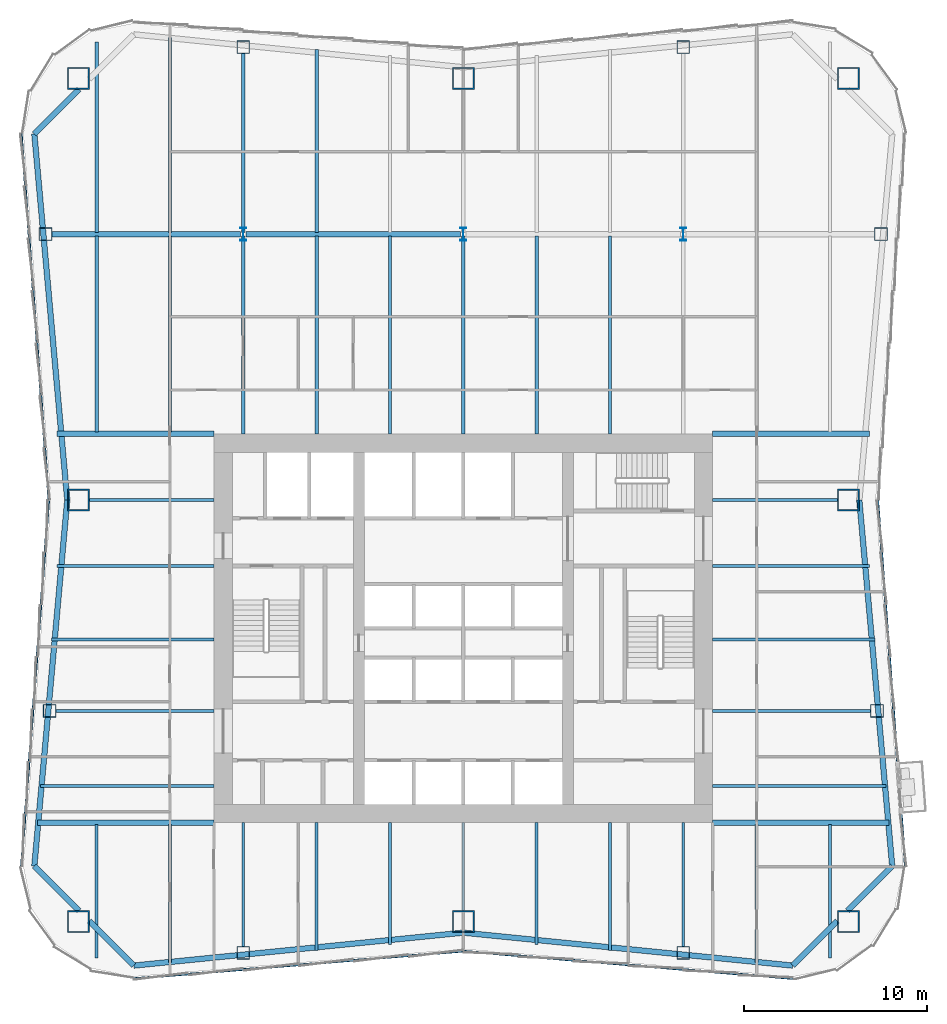
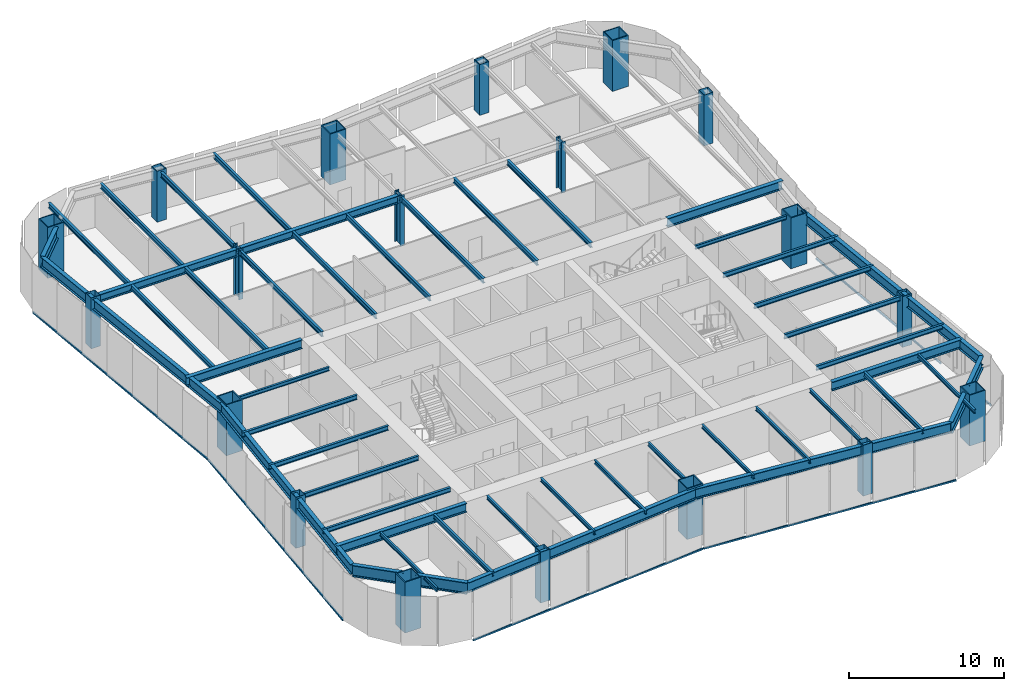
# One storey, part 1 of 9: 49 beams, 19 columns, 6 members, 3 elements without a shape of their own.
"""IFC4 building model written with IfcOpenShell, lengths in metres."""

from ifc_helpers import new_model, si_unit, direction, frame, origin, origin_2d, place, context, subcontext, project, spatial, rectangle, hollow_rectangle, i_section, extrude, material, material_profile, profile_set, type_object, element, aggregate, save


model = new_model("IFC4")

# Units and contexts
model_context = context("Model", 3, precision=1e-05, world=origin(), true_north=direction((0.0, 1.0)))
body_context = subcontext(model_context, "Body", "Model", "MODEL_VIEW")
ifc_project = project(units=[si_unit("LENGTHUNIT", "METRE"), si_unit("AREAUNIT", "SQUARE_METRE"), si_unit("VOLUMEUNIT", "CUBIC_METRE"), si_unit("PLANEANGLEUNIT", "RADIAN"), si_unit("MASSUNIT", "GRAM", prefix="KILO")], contexts=[model_context])

# Site, building, storey
site_placement = place(None, origin())
site = spatial("IfcSite", under=ifc_project, at=site_placement, CompositionType="ELEMENT")
building_placement = place(site_placement, origin())
building = spatial("IfcBuilding", under=site, at=building_placement, Name="Verdant Reach Tower", CompositionType="ELEMENT")
storey_placement = place(building_placement, frame((0.0, 0.0, 130.0)))
storey = spatial("IfcBuildingStorey", under=building, at=storey_placement, Name="L29", CompositionType="ELEMENT", Elevation=130.0)

# Columns
ifc_material_1 = material(Name="Steel S460", Category="steel")
ifc_material_profile_1 = material_profile(ifc_material_1, i_section(OverallWidth=0.30810546875, OverallDepth=0.716064453125, WebThickness=0.02099609375, FlangeThickness=0.0400390625, FilletRadius=0.027099609375, at=origin_2d()), Name="HEM 700")
ifc_profile_set_1 = profile_set([ifc_material_profile_1], Name="Steel S460")
column_type_1 = type_object("IfcColumnType", Name="ST-COL-HEM700", PredefinedType="COLUMN", material=ifc_profile_set_1)
for number, where, z_axis, x_axis, name in (
    (1, (-12.0, 49.5, 0.0), (0.0, 0.0, 1.0), (1.0, 0.0, 0.0), "Interior column 1, L29"),
    (2, (0.0, 49.5, 0.0), (0.0, 0.0, 1.0), (1.0, 0.0, 0.0), "Interior column 2, L29"),
    (3, (12.0, 49.5, 0.0), (0.0, 0.0, 1.0), (1.0, 0.0, 0.0), "Interior column 3, L29"),
):
    element("IfcColumn", number, at=place(storey_placement, frame(where, z_axis=z_axis, x_axis=x_axis)), inside=storey, type_object=column_type_1, Name=name, PredefinedType="COLUMN", context=body_context, shape_type="SweptSolid", body=[
        extrude(i_section(OverallWidth=0.30810546875, OverallDepth=0.716064453125, WebThickness=0.02099609375, FlangeThickness=0.0400390625, FilletRadius=0.027099609375, at=origin_2d()), origin(), (0.0, 0.0, 1.0), 4.0),
    ])
ifc_material_profile_2 = material_profile(ifc_material_1, hollow_rectangle(XDim=1.199951171875, YDim=1.199951171875, WallThickness=0.070068359375, at=origin_2d()), Name="WB 1200x1200x70")
ifc_profile_set_2 = profile_set([ifc_material_profile_2], Name="Steel S460")
column_type_2 = type_object("IfcColumnType", Name="ST-COL-WB1200x1200x70", PredefinedType="COLUMN", material=ifc_profile_set_2)
for number, where, z_axis, x_axis, name in (
    (4, (-21.0, 58.0, 0.0), (0.0, 0.0, 1.0), (1.0, 0.0, 0.0), "Mega column north-west, L29"),
    (5, (0.0, 58.0, 0.0), (0.0, 0.0, 1.0), (1.0, 0.0, 0.0), "Mega column north, L29"),
    (6, (21.0, 58.0, 0.0), (0.0, 0.0, 1.0), (1.0, 0.0, 0.0), "Mega column north-east, L29"),
    (7, (21.0, 35.0, 0.0), (0.0, 0.0, 1.0), (1.0, 0.0, 0.0), "Mega column east, L29"),
    (8, (21.0, 12.0, 0.0), (0.0, 0.0, 1.0), (1.0, 0.0, 0.0), "Mega column south-east, L29"),
    (9, (0.0, 12.0, 0.0), (0.0, 0.0, 1.0), (1.0, 0.0, 0.0), "Mega column south, L29"),
    (10, (-21.0, 12.0, 0.0), (0.0, 0.0, 1.0), (1.0, 0.0, 0.0), "Mega column south-west, L29"),
    (11, (-21.0, 35.0, 0.0), (0.0, 0.0, 1.0), (1.0, 0.0, 0.0), "Mega column west, L29"),
):
    element("IfcColumn", number, at=place(storey_placement, frame(where, z_axis=z_axis, x_axis=x_axis)), inside=storey, type_object=column_type_2, Name=name, PredefinedType="COLUMN", context=body_context, shape_type="SweptSolid", body=[
        extrude(hollow_rectangle(XDim=1.199951171875, YDim=1.199951171875, WallThickness=0.070068359375, at=origin_2d()), origin(), (0.0, 0.0, 1.0), 4.0),
    ])
ifc_material_profile_3 = material_profile(ifc_material_1, hollow_rectangle(XDim=0.699951171875, YDim=0.699951171875, WallThickness=0.030029296875, at=origin_2d()), Name="WB 700x700x30")
ifc_profile_set_3 = profile_set([ifc_material_profile_3], Name="Steel S460")
column_type_3 = type_object("IfcColumnType", Name="ST-COL-WB700x700x30", PredefinedType="COLUMN", material=ifc_profile_set_3)
for number, where, z_axis, x_axis, name in (
    (12, (-12.0, 59.699951171875, 0.0), (0.0, 0.0, 1.0), (1.0, 0.0, 0.0), "Perimeter column north 1, L29"),
    (13, (12.0, 59.699951171875, 0.0), (0.0, 0.0, 1.0), (1.0, 0.0, 0.0), "Perimeter column north 2, L29"),
    (14, (-12.0, 10.300048828125, 0.0), (0.0, 0.0, 1.0), (1.0, 0.0, 0.0), "Perimeter column south 1, L29"),
    (15, (12.0, 10.300048828125, 0.0), (0.0, 0.0, 1.0), (1.0, 0.0, 0.0), "Perimeter column south 2, L29"),
    (16, (22.5625, 23.5, 0.0), (0.0, 0.0, 1.0), (1.0, 0.0, 0.0), "Perimeter column east 1, L29"),
    (17, (22.78759765625, 49.5, 0.0), (0.0, 0.0, 1.0), (1.0, 0.0, 0.0), "Perimeter column east 2, L29"),
    (18, (-22.5625, 23.5, 0.0), (0.0, 0.0, 1.0), (1.0, 0.0, 0.0), "Perimeter column west 1, L29"),
    (19, (-22.78759765625, 49.5, 0.0), (0.0, 0.0, 1.0), (1.0, 0.0, 0.0), "Perimeter column west 2, L29"),
):
    element("IfcColumn", number, at=place(storey_placement, frame(where, z_axis=z_axis, x_axis=x_axis)), inside=storey, type_object=column_type_3, Name=name, PredefinedType="COLUMN", context=body_context, shape_type="SweptSolid", body=[
        extrude(hollow_rectangle(XDim=0.699951171875, YDim=0.699951171875, WallThickness=0.030029296875, at=origin_2d()), origin(), (0.0, 0.0, 1.0), 4.0),
    ])

# Curtain wall, members
ifc_material_2 = material(Name="Anodised aluminium", Category="aluminium")
curtain_wall_type = type_object("IfcCurtainWallType", Name="EN-CW SYSTEM Z2", PredefinedType="NOTDEFINED", material=ifc_material_2)
curtain_wall_1_placement = place(storey_placement, origin())
curtain_wall_1 = element("IfcCurtainWall", 20, at=curtain_wall_1_placement, inside=storey, type_object=curtain_wall_type, Name="Curtain wall east, L29", PredefinedType="NOTDEFINED")
ifc_material_profile_4 = material_profile(ifc_material_2, rectangle(XDim=0.10009765625, YDim=0.1240234375, at=origin_2d()), Name="Transom 124x100")
ifc_profile_set_4 = profile_set([ifc_material_profile_4], Name="Anodised aluminium")
member_type = type_object("IfcMemberType", Name="EN-TRANSOM Z2", PredefinedType="USERDEFINED", material=ifc_profile_set_4)
member_1_placement = place(storey_placement, frame((24.103515625, 15.025390625, -0.2880859375), z_axis=(-0.074481699415, 0.997222380641, 0.0), x_axis=(-0.997222380641, -0.074481699415, 0.0)))
member_1 = element("IfcMember", 21, at=member_1_placement, type_object=member_type, Name="Transom east face part 1 1.1, L29", ObjectType="TRANSOM", PredefinedType="USERDEFINED", context=body_context, shape_type="SweptSolid", body=[
    extrude(rectangle(XDim=0.10009765625, YDim=0.1240234375, at=origin_2d()), origin(), (0.0, 0.0, 1.0), 2.815673828125),
])
member_2_placement = place(storey_placement, frame((23.6748046875, 20.754150390625, -0.2880859375), z_axis=(-0.074815496642, 0.997197393429, 0.0), x_axis=(-0.997197393429, -0.074815496642, 0.0)))
member_2 = element("IfcMember", 22, at=member_2_placement, type_object=member_type, Name="Transom east face part 1 2.1, L29", ObjectType="TRANSOM", PredefinedType="USERDEFINED", context=body_context, shape_type="SweptSolid", body=[
    extrude(rectangle(XDim=0.10009765625, YDim=0.1240234375, at=origin_2d()), origin(), (0.0, 0.0, 1.0), 14.25390625),
])
aggregate(curtain_wall_1, [member_1, member_2])

curtain_wall_2_placement = place(storey_placement, origin())
curtain_wall_2 = element("IfcCurtainWall", 23, at=curtain_wall_2_placement, inside=storey, type_object=curtain_wall_type, Name="Curtain wall west, L29", PredefinedType="NOTDEFINED")
member_3_placement = place(storey_placement, frame((-24.103515625, 54.974609375, -0.2880859375), z_axis=(0.07476111665, -0.997201471839, 0.0), x_axis=(0.997201471839, 0.07476111665, 0.0)))
member_3 = element("IfcMember", 24, at=member_3_placement, type_object=member_type, Name="Transom west face part 1 1.1, L29", ObjectType="TRANSOM", PredefinedType="USERDEFINED", context=body_context, shape_type="SweptSolid", body=[
    extrude(rectangle(XDim=0.10009765625, YDim=0.1240234375, at=origin_2d()), origin(), (0.0, 0.0, 1.0), 19.99853515625),
])
member_4_placement = place(storey_placement, frame((-22.6083984375, 34.968017578125, -0.2880859375), z_axis=(-0.07476111665, -0.997201471839, 0.0), x_axis=(0.997201471839, -0.07476111665, 0.0)))
member_4 = element("IfcMember", 25, at=member_4_placement, type_object=member_type, Name="Transom west face part 2 1.1, L29", ObjectType="TRANSOM", PredefinedType="USERDEFINED", context=body_context, shape_type="SweptSolid", body=[
    extrude(rectangle(XDim=0.10009765625, YDim=0.1240234375, at=origin_2d()), origin(), (0.0, 0.0, 1.0), 19.99853515625),
])
aggregate(curtain_wall_2, [member_3, member_4])

curtain_wall_3_placement = place(storey_placement, origin())
curtain_wall_3 = element("IfcCurtainWall", 26, at=curtain_wall_3_placement, inside=storey, type_object=curtain_wall_type, Name="Curtain wall south, L29", PredefinedType="NOTDEFINED")
member_5_placement = place(storey_placement, frame((-17.97412109375, 8.896728515625, -0.2880859375), z_axis=(0.996548282776, 0.083015179915, 0.0), x_axis=(-0.083015179915, 0.996548282776, 0.0)))
member_5 = element("IfcMember", 27, at=member_5_placement, type_object=member_type, Name="Transom south face part 1 1.1, L29", ObjectType="TRANSOM", PredefinedType="USERDEFINED", context=body_context, shape_type="SweptSolid", body=[
    extrude(rectangle(XDim=0.10009765625, YDim=0.1240234375, at=origin_2d()), origin(), (0.0, 0.0, 1.0), 18.00439453125),
])
member_6_placement = place(storey_placement, frame((0.031982421875, 10.391357421875, -0.2880859375), z_axis=(0.996548282776, -0.083015179915, 0.0), x_axis=(0.083015179915, 0.996548282776, 0.0)))
member_6 = element("IfcMember", 28, at=member_6_placement, type_object=member_type, Name="Transom south face part 2 1.1, L29", ObjectType="TRANSOM", PredefinedType="USERDEFINED", context=body_context, shape_type="SweptSolid", body=[
    extrude(rectangle(XDim=0.10009765625, YDim=0.1240234375, at=origin_2d()), origin(), (0.0, 0.0, 1.0), 18.00439453125),
])
aggregate(curtain_wall_3, [member_5, member_6])

# Beams
ifc_material_3 = material(Name="Steel S355", Category="steel")
ifc_material_profile_5 = material_profile(ifc_material_3, i_section(OverallWidth=0.300048828125, OverallDepth=0.60009765625, WebThickness=0.015380859375, FlangeThickness=0.030029296875, FilletRadius=0.027099609375, at=origin_2d()), Name="HEB 600")
ifc_profile_set_5 = profile_set([ifc_material_profile_5], Name="Steel S355")
beam_type_1 = type_object("IfcBeamType", Name="ST-BEAM-HEB600", PredefinedType="BEAM", material=ifc_profile_set_5)
beam_1_placement = place(storey_placement, frame((-22.4375, 49.5, 3.570068359375), z_axis=(1.0, 0.0, 0.0), x_axis=(0.0, 1.0, 0.0)))
element("IfcBeam", 29, at=beam_1_placement, inside=storey, type_object=beam_type_1, Name="Row girder, L29", PredefinedType="BEAM", context=body_context, shape_type="SweptSolid", body=[
    extrude(i_section(OverallWidth=0.300048828125, OverallDepth=0.60009765625, WebThickness=0.015380859375, FlangeThickness=0.030029296875, FilletRadius=0.027099609375, at=origin_2d()), origin(), (0.0, 0.0, 1.0), 10.283447265625),
])
beam_2_placement = place(storey_placement, frame((-11.845947265625, 49.5, 3.570068359375), z_axis=(1.0, 0.0, 0.0), x_axis=(0.0, 1.0, 0.0)))
element("IfcBeam", 30, at=beam_2_placement, inside=storey, type_object=beam_type_1, Name="Row girder, L29", PredefinedType="BEAM", context=body_context, shape_type="SweptSolid", body=[
    extrude(i_section(OverallWidth=0.300048828125, OverallDepth=0.60009765625, WebThickness=0.015380859375, FlangeThickness=0.030029296875, FilletRadius=0.027099609375, at=origin_2d()), origin(), (0.0, 0.0, 1.0), 11.69189453125),
])
ifc_material_profile_6 = material_profile(ifc_material_3, i_section(OverallWidth=0.300048828125, OverallDepth=0.699951171875, WebThickness=0.01708984375, FlangeThickness=0.031982421875, FilletRadius=0.027099609375, at=origin_2d()), Name="HEB 700")
ifc_profile_set_6 = profile_set([ifc_material_profile_6], Name="Steel S355")
beam_type_2 = type_object("IfcBeamType", Name="ST-BEAM-HEB700", PredefinedType="BEAM", material=ifc_profile_set_6)
for number, where, z_axis, x_axis, name in (
    (31, (13.60009765625, 38.60009765625, 3.52001953125), (1.0, 0.0, 0.0), (0.0, 1.0, 0.0), "Trimmer beam, L29"),
    (32, (-13.60009765625, 38.60009765625, 3.52001953125), (-1.0, 0.0, 0.0), (0.0, -1.0, 0.0), "Trimmer beam, L29"),
):
    element("IfcBeam", number, at=place(storey_placement, frame(where, z_axis=z_axis, x_axis=x_axis)), inside=storey, type_object=beam_type_2, Name=name, PredefinedType="BEAM", context=body_context, shape_type="SweptSolid", body=[
        extrude(i_section(OverallWidth=0.300048828125, OverallDepth=0.699951171875, WebThickness=0.01708984375, FlangeThickness=0.031982421875, FilletRadius=0.027099609375, at=origin_2d()), origin(), (0.0, 0.0, 1.0), 8.568115234375),
    ])
for number, where, z_axis, x_axis, name in (
    (33, (13.60009765625, 17.39990234375, 3.52001953125), (1.0, 0.0, 0.0), (0.0, 1.0, 0.0), "Trimmer beam, L29"),
    (34, (-13.60009765625, 17.39990234375, 3.52001953125), (-1.0, 0.0, 0.0), (0.0, -1.0, 0.0), "Trimmer beam, L29"),
):
    element("IfcBeam", number, at=place(storey_placement, frame(where, z_axis=z_axis, x_axis=x_axis)), inside=storey, type_object=beam_type_2, Name=name, PredefinedType="BEAM", context=body_context, shape_type="SweptSolid", body=[
        extrude(i_section(OverallWidth=0.300048828125, OverallDepth=0.699951171875, WebThickness=0.01708984375, FlangeThickness=0.031982421875, FilletRadius=0.027099609375, at=origin_2d()), origin(), (0.0, 0.0, 1.0), 9.6181640625),
    ])
ifc_material_profile_7 = material_profile(ifc_material_3, i_section(OverallWidth=0.14990234375, OverallDepth=0.300048828125, WebThickness=0.007080078125, FlangeThickness=0.0107421875, FilletRadius=0.014892578125, at=origin_2d()), Name="IPE 300")
ifc_profile_set_7 = profile_set([ifc_material_profile_7], Name="Steel S355")
beam_type_3 = type_object("IfcBeamType", Name="ST-JOIST-IPE300", PredefinedType="JOIST", material=ifc_profile_set_7)
beam_3_placement = place(storey_placement, frame((-20.0, 17.300048828125, 3.719970703125), z_axis=(0.0, -1.0, 0.0), x_axis=(1.0, 0.0, 0.0)))
element("IfcBeam", 35, at=beam_3_placement, inside=storey, type_object=beam_type_3, Name="Floor joist, L29", PredefinedType="JOIST", context=body_context, shape_type="SweptSolid", body=[
    extrude(i_section(OverallWidth=0.14990234375, OverallDepth=0.300048828125, WebThickness=0.007080078125, FlangeThickness=0.0107421875, FilletRadius=0.014892578125, at=origin_2d()), origin(), (0.0, 0.0, 1.0), 7.29052734375),
])
beam_4_placement = place(storey_placement, frame((-12.0, 17.39990234375, 3.719970703125), z_axis=(0.0, -1.0, 0.0), x_axis=(1.0, 0.0, 0.0)))
element("IfcBeam", 36, at=beam_4_placement, inside=storey, type_object=beam_type_3, Name="Floor joist, L29", PredefinedType="JOIST", context=body_context, shape_type="SweptSolid", body=[
    extrude(i_section(OverallWidth=0.14990234375, OverallDepth=0.300048828125, WebThickness=0.007080078125, FlangeThickness=0.0107421875, FilletRadius=0.014892578125, at=origin_2d()), origin(), (0.0, 0.0, 1.0), 6.75),
])
beam_5_placement = place(storey_placement, frame((-8.0, 17.39990234375, 3.719970703125), z_axis=(0.0, -1.0, 0.0), x_axis=(1.0, 0.0, 0.0)))
element("IfcBeam", 37, at=beam_5_placement, inside=storey, type_object=beam_type_3, Name="Floor joist, L29", PredefinedType="JOIST", context=body_context, shape_type="SweptSolid", body=[
    extrude(i_section(OverallWidth=0.14990234375, OverallDepth=0.300048828125, WebThickness=0.007080078125, FlangeThickness=0.0107421875, FilletRadius=0.014892578125, at=origin_2d()), origin(), (0.0, 0.0, 1.0), 6.964599609375),
])
beam_6_placement = place(storey_placement, frame((-4.0, 17.39990234375, 3.719970703125), z_axis=(0.0, -1.0, 0.0), x_axis=(1.0, 0.0, 0.0)))
element("IfcBeam", 38, at=beam_6_placement, inside=storey, type_object=beam_type_3, Name="Floor joist, L29", PredefinedType="JOIST", context=body_context, shape_type="SweptSolid", body=[
    extrude(i_section(OverallWidth=0.14990234375, OverallDepth=0.300048828125, WebThickness=0.007080078125, FlangeThickness=0.0107421875, FilletRadius=0.014892578125, at=origin_2d()), origin(), (0.0, 0.0, 1.0), 6.631103515625),
])
beam_7_placement = place(storey_placement, frame((0.0, 17.39990234375, 3.719970703125), z_axis=(0.0, -1.0, 0.0), x_axis=(1.0, 0.0, 0.0)))
element("IfcBeam", 39, at=beam_7_placement, inside=storey, type_object=beam_type_3, Name="Floor joist, L29", PredefinedType="JOIST", context=body_context, shape_type="SweptSolid", body=[
    extrude(i_section(OverallWidth=0.14990234375, OverallDepth=0.300048828125, WebThickness=0.007080078125, FlangeThickness=0.0107421875, FilletRadius=0.014892578125, at=origin_2d()), origin(), (0.0, 0.0, 1.0), 4.7998046875),
])
beam_8_placement = place(storey_placement, frame((4.0, 17.39990234375, 3.719970703125), z_axis=(0.0, -1.0, 0.0), x_axis=(1.0, 0.0, 0.0)))
element("IfcBeam", 40, at=beam_8_placement, inside=storey, type_object=beam_type_3, Name="Floor joist, L29", PredefinedType="JOIST", context=body_context, shape_type="SweptSolid", body=[
    extrude(i_section(OverallWidth=0.14990234375, OverallDepth=0.300048828125, WebThickness=0.007080078125, FlangeThickness=0.0107421875, FilletRadius=0.014892578125, at=origin_2d()), origin(), (0.0, 0.0, 1.0), 6.631103515625),
])
beam_9_placement = place(storey_placement, frame((8.0, 17.39990234375, 3.719970703125), z_axis=(0.0, -1.0, 0.0), x_axis=(1.0, 0.0, 0.0)))
element("IfcBeam", 41, at=beam_9_placement, inside=storey, type_object=beam_type_3, Name="Floor joist, L29", PredefinedType="JOIST", context=body_context, shape_type="SweptSolid", body=[
    extrude(i_section(OverallWidth=0.14990234375, OverallDepth=0.300048828125, WebThickness=0.007080078125, FlangeThickness=0.0107421875, FilletRadius=0.014892578125, at=origin_2d()), origin(), (0.0, 0.0, 1.0), 6.964599609375),
])
beam_10_placement = place(storey_placement, frame((12.0, 17.39990234375, 3.719970703125), z_axis=(0.0, -1.0, 0.0), x_axis=(1.0, 0.0, 0.0)))
element("IfcBeam", 42, at=beam_10_placement, inside=storey, type_object=beam_type_3, Name="Floor joist, L29", PredefinedType="JOIST", context=body_context, shape_type="SweptSolid", body=[
    extrude(i_section(OverallWidth=0.14990234375, OverallDepth=0.300048828125, WebThickness=0.007080078125, FlangeThickness=0.0107421875, FilletRadius=0.014892578125, at=origin_2d()), origin(), (0.0, 0.0, 1.0), 6.75),
])
beam_11_placement = place(storey_placement, frame((20.0, 17.300048828125, 3.719970703125), z_axis=(0.0, -1.0, 0.0), x_axis=(1.0, 0.0, 0.0)))
element("IfcBeam", 43, at=beam_11_placement, inside=storey, type_object=beam_type_3, Name="Floor joist, L29", PredefinedType="JOIST", context=body_context, shape_type="SweptSolid", body=[
    extrude(i_section(OverallWidth=0.14990234375, OverallDepth=0.300048828125, WebThickness=0.007080078125, FlangeThickness=0.0107421875, FilletRadius=0.014892578125, at=origin_2d()), origin(), (0.0, 0.0, 1.0), 7.29052734375),
])
for number, where, z_axis, x_axis, name in (
    (44, (13.60009765625, 35.0, 3.719970703125), (1.0, 0.0, 0.0), (0.0, 1.0, 0.0), "Floor joist, L29"),
    (45, (-13.60009765625, 35.0, 3.719970703125), (-1.0, 0.0, 0.0), (0.0, -1.0, 0.0), "Floor joist, L29"),
):
    element("IfcBeam", number, at=place(storey_placement, frame(where, z_axis=z_axis, x_axis=x_axis)), inside=storey, type_object=beam_type_3, Name=name, PredefinedType="JOIST", context=body_context, shape_type="SweptSolid", body=[
        extrude(i_section(OverallWidth=0.14990234375, OverallDepth=0.300048828125, WebThickness=0.007080078125, FlangeThickness=0.0107421875, FilletRadius=0.014892578125, at=origin_2d()), origin(), (0.0, 0.0, 1.0), 6.7998046875),
    ])
ifc_material_profile_8 = material_profile(ifc_material_3, i_section(OverallWidth=0.169921875, OverallDepth=0.360107421875, WebThickness=0.008056640625, FlangeThickness=0.0126953125, FilletRadius=0.01806640625, at=origin_2d()), Name="IPE 360")
ifc_profile_set_8 = profile_set([ifc_material_profile_8], Name="Steel S355")
beam_type_4 = type_object("IfcBeamType", Name="ST-JOIST-IPE360", PredefinedType="JOIST", material=ifc_profile_set_8)
for number, where, z_axis, x_axis, name in (
    (46, (-16.0, 17.300048828125, 3.68994140625), (0.0, -1.0, 0.0), (1.0, 0.0, 0.0), "Floor joist, L29"),
    (47, (16.0, 17.300048828125, 3.68994140625), (0.0, -1.0, 0.0), (1.0, 0.0, 0.0), "Floor joist, L29"),
):
    element("IfcBeam", number, at=place(storey_placement, frame(where, z_axis=z_axis, x_axis=x_axis)), inside=storey, type_object=beam_type_4, Name=name, PredefinedType="JOIST", context=body_context, shape_type="SweptSolid", body=[
        extrude(i_section(OverallWidth=0.169921875, OverallDepth=0.360107421875, WebThickness=0.008056640625, FlangeThickness=0.0126953125, FilletRadius=0.01806640625, at=origin_2d()), origin(), (0.0, 0.0, 1.0), 7.53125),
    ])
for number, where, z_axis, x_axis, name in (
    (48, (13.60009765625, 19.39990234375, 3.68994140625), (1.0, 0.0, 0.0), (0.0, 1.0, 0.0), "Floor joist, L29"),
    (49, (-13.60009765625, 19.39990234375, 3.68994140625), (-1.0, 0.0, 0.0), (0.0, -1.0, 0.0), "Floor joist, L29"),
):
    element("IfcBeam", number, at=place(storey_placement, frame(where, z_axis=z_axis, x_axis=x_axis)), inside=storey, type_object=beam_type_4, Name=name, PredefinedType="JOIST", context=body_context, shape_type="SweptSolid", body=[
        extrude(i_section(OverallWidth=0.169921875, OverallDepth=0.360107421875, WebThickness=0.008056640625, FlangeThickness=0.0126953125, FilletRadius=0.01806640625, at=origin_2d()), origin(), (0.0, 0.0, 1.0), 9.46826171875),
    ])
for number, where, z_axis, x_axis, name in (
    (50, (13.60009765625, 23.5, 3.68994140625), (1.0, 0.0, 0.0), (0.0, 1.0, 0.0), "Floor joist, L29"),
    (51, (-13.60009765625, 23.5, 3.68994140625), (-1.0, 0.0, 0.0), (0.0, -1.0, 0.0), "Floor joist, L29"),
):
    element("IfcBeam", number, at=place(storey_placement, frame(where, z_axis=z_axis, x_axis=x_axis)), inside=storey, type_object=beam_type_4, Name=name, PredefinedType="JOIST", context=body_context, shape_type="SweptSolid", body=[
        extrude(i_section(OverallWidth=0.169921875, OverallDepth=0.360107421875, WebThickness=0.008056640625, FlangeThickness=0.0126953125, FilletRadius=0.01806640625, at=origin_2d()), origin(), (0.0, 0.0, 1.0), 8.6123046875),
    ])
for number, where, z_axis, x_axis, name in (
    (52, (13.60009765625, 27.39990234375, 3.68994140625), (1.0, 0.0, 0.0), (0.0, 1.0, 0.0), "Floor joist, L29"),
    (53, (-13.60009765625, 27.39990234375, 3.68994140625), (-1.0, 0.0, 0.0), (0.0, -1.0, 0.0), "Floor joist, L29"),
):
    element("IfcBeam", number, at=place(storey_placement, frame(where, z_axis=z_axis, x_axis=x_axis)), inside=storey, type_object=beam_type_4, Name=name, PredefinedType="JOIST", context=body_context, shape_type="SweptSolid", body=[
        extrude(i_section(OverallWidth=0.169921875, OverallDepth=0.360107421875, WebThickness=0.008056640625, FlangeThickness=0.0126953125, FilletRadius=0.01806640625, at=origin_2d()), origin(), (0.0, 0.0, 1.0), 8.8681640625),
    ])
for number, where, z_axis, x_axis, name in (
    (54, (13.60009765625, 31.39990234375, 3.68994140625), (1.0, 0.0, 0.0), (0.0, 1.0, 0.0), "Floor joist, L29"),
    (55, (-13.60009765625, 31.39990234375, 3.68994140625), (-1.0, 0.0, 0.0), (0.0, -1.0, 0.0), "Floor joist, L29"),
):
    element("IfcBeam", number, at=place(storey_placement, frame(where, z_axis=z_axis, x_axis=x_axis)), inside=storey, type_object=beam_type_4, Name=name, PredefinedType="JOIST", context=body_context, shape_type="SweptSolid", body=[
        extrude(i_section(OverallWidth=0.169921875, OverallDepth=0.360107421875, WebThickness=0.008056640625, FlangeThickness=0.0126953125, FilletRadius=0.01806640625, at=origin_2d()), origin(), (0.0, 0.0, 1.0), 8.568115234375),
    ])
ifc_material_profile_9 = material_profile(ifc_material_3, i_section(OverallWidth=0.179931640625, OverallDepth=0.39990234375, WebThickness=0.008544921875, FlangeThickness=0.013427734375, FilletRadius=0.02099609375, at=origin_2d()), Name="IPE 400")
ifc_profile_set_9 = profile_set([ifc_material_profile_9], Name="Steel S355")
beam_type_5 = type_object("IfcBeamType", Name="ST-JOIST-IPE400", PredefinedType="JOIST", material=ifc_profile_set_9)
beam_12_placement = place(storey_placement, frame((-20.0, 38.699951171875, 3.669921875), z_axis=(0.0, 1.0, 0.0), x_axis=(-1.0, 0.0, 0.0)))
element("IfcBeam", 56, at=beam_12_placement, inside=storey, type_object=beam_type_5, Name="Floor joist, L29", PredefinedType="JOIST", context=body_context, shape_type="SweptSolid", body=[
    extrude(i_section(OverallWidth=0.179931640625, OverallDepth=0.39990234375, WebThickness=0.008544921875, FlangeThickness=0.013427734375, FilletRadius=0.02099609375, at=origin_2d()), origin(), (0.0, 0.0, 1.0), 10.699951171875),
])
beam_13_placement = place(storey_placement, frame((-20.0, 49.60009765625, 3.669921875), z_axis=(0.0, 1.0, 0.0), x_axis=(-1.0, 0.0, 0.0)))
element("IfcBeam", 57, at=beam_13_placement, inside=storey, type_object=beam_type_5, Name="Floor joist, L29", PredefinedType="JOIST", context=body_context, shape_type="SweptSolid", body=[
    extrude(i_section(OverallWidth=0.179931640625, OverallDepth=0.39990234375, WebThickness=0.008544921875, FlangeThickness=0.013427734375, FilletRadius=0.02099609375, at=origin_2d()), origin(), (0.0, 0.0, 1.0), 10.390380859375),
])
beam_14_placement = place(storey_placement, frame((-16.0, 38.699951171875, 3.669921875), z_axis=(0.0, 1.0, 0.0), x_axis=(-1.0, 0.0, 0.0)))
element("IfcBeam", 58, at=beam_14_placement, inside=storey, type_object=beam_type_5, Name="Floor joist, L29", PredefinedType="JOIST", context=body_context, shape_type="SweptSolid", body=[
    extrude(i_section(OverallWidth=0.179931640625, OverallDepth=0.39990234375, WebThickness=0.008544921875, FlangeThickness=0.013427734375, FilletRadius=0.02099609375, at=origin_2d()), origin(), (0.0, 0.0, 1.0), 10.699951171875),
])
beam_15_placement = place(storey_placement, frame((-16.0, 49.60009765625, 3.669921875), z_axis=(0.0, 1.0, 0.0), x_axis=(-1.0, 0.0, 0.0)))
element("IfcBeam", 59, at=beam_15_placement, inside=storey, type_object=beam_type_5, Name="Floor joist, L29", PredefinedType="JOIST", context=body_context, shape_type="SweptSolid", body=[
    extrude(i_section(OverallWidth=0.179931640625, OverallDepth=0.39990234375, WebThickness=0.008544921875, FlangeThickness=0.013427734375, FilletRadius=0.02099609375, at=origin_2d()), origin(), (0.0, 0.0, 1.0), 10.631103515625),
])
beam_16_placement = place(storey_placement, frame((-12.0, 38.60009765625, 3.669921875), z_axis=(0.0, 1.0, 0.0), x_axis=(-1.0, 0.0, 0.0)))
element("IfcBeam", 60, at=beam_16_placement, inside=storey, type_object=beam_type_5, Name="Floor joist, L29", PredefinedType="JOIST", context=body_context, shape_type="SweptSolid", body=[
    extrude(i_section(OverallWidth=0.179931640625, OverallDepth=0.39990234375, WebThickness=0.008544921875, FlangeThickness=0.013427734375, FilletRadius=0.02099609375, at=origin_2d()), origin(), (0.0, 0.0, 1.0), 10.7998046875),
])
beam_17_placement = place(storey_placement, frame((-12.0, 49.60009765625, 3.669921875), z_axis=(0.0, 1.0, 0.0), x_axis=(-1.0, 0.0, 0.0)))
element("IfcBeam", 61, at=beam_17_placement, inside=storey, type_object=beam_type_5, Name="Floor joist, L29", PredefinedType="JOIST", context=body_context, shape_type="SweptSolid", body=[
    extrude(i_section(OverallWidth=0.179931640625, OverallDepth=0.39990234375, WebThickness=0.008544921875, FlangeThickness=0.013427734375, FilletRadius=0.02099609375, at=origin_2d()), origin(), (0.0, 0.0, 1.0), 9.75),
])
beam_18_placement = place(storey_placement, frame((-8.0, 38.60009765625, 3.669921875), z_axis=(0.0, 1.0, 0.0), x_axis=(-1.0, 0.0, 0.0)))
element("IfcBeam", 62, at=beam_18_placement, inside=storey, type_object=beam_type_5, Name="Floor joist, L29", PredefinedType="JOIST", context=body_context, shape_type="SweptSolid", body=[
    extrude(i_section(OverallWidth=0.179931640625, OverallDepth=0.39990234375, WebThickness=0.008544921875, FlangeThickness=0.013427734375, FilletRadius=0.02099609375, at=origin_2d()), origin(), (0.0, 0.0, 1.0), 10.7998046875),
])
beam_19_placement = place(storey_placement, frame((-8.0, 49.60009765625, 3.669921875), z_axis=(0.0, 1.0, 0.0), x_axis=(-1.0, 0.0, 0.0)))
element("IfcBeam", 63, at=beam_19_placement, inside=storey, type_object=beam_type_5, Name="Floor joist, L29", PredefinedType="JOIST", context=body_context, shape_type="SweptSolid", body=[
    extrude(i_section(OverallWidth=0.179931640625, OverallDepth=0.39990234375, WebThickness=0.008544921875, FlangeThickness=0.013427734375, FilletRadius=0.02099609375, at=origin_2d()), origin(), (0.0, 0.0, 1.0), 9.964599609375),
])
for number, where, z_axis, x_axis, name in (
    (64, (-4.0, 38.60009765625, 3.669921875), (0.0, 1.0, 0.0), (-1.0, 0.0, 0.0), "Floor joist, L29"),
    (65, (0.0, 38.60009765625, 3.669921875), (0.0, 1.0, 0.0), (-1.0, 0.0, 0.0), "Floor joist, L29"),
    (66, (4.0, 38.60009765625, 3.669921875), (0.0, 1.0, 0.0), (-1.0, 0.0, 0.0), "Floor joist, L29"),
    (67, (8.0, 38.60009765625, 3.669921875), (0.0, 1.0, 0.0), (-1.0, 0.0, 0.0), "Floor joist, L29"),
):
    element("IfcBeam", number, at=place(storey_placement, frame(where, z_axis=z_axis, x_axis=x_axis)), inside=storey, type_object=beam_type_5, Name=name, PredefinedType="JOIST", context=body_context, shape_type="SweptSolid", body=[
        extrude(i_section(OverallWidth=0.179931640625, OverallDepth=0.39990234375, WebThickness=0.008544921875, FlangeThickness=0.013427734375, FilletRadius=0.02099609375, at=origin_2d()), origin(), (0.0, 0.0, 1.0), 10.7998046875),
    ])
ifc_material_profile_10 = material_profile(ifc_material_3, i_section(OverallWidth=0.300048828125, OverallDepth=0.800048828125, WebThickness=0.017578125, FlangeThickness=0.032958984375, FilletRadius=0.030029296875, at=origin_2d()), Name="HEB 800")
ifc_profile_set_10 = profile_set([ifc_material_profile_10], Name="Steel S355")
beam_type_6 = type_object("IfcBeamType", Name="ST-SPANDREL-HEB800", PredefinedType="SPANDREL", material=ifc_profile_set_10)
for number, where, z_axis, x_axis, name in (
    (68, (17.9658203125, 9.60498046875, 3.469970703125), (-0.995046289869, 0.099412680371, 0.0), (-0.099412680371, -0.995046289869, 0.0), "Edge beam, L29"),
    (69, (0.0, 11.39990234375, 3.469970703125), (-0.995046289869, -0.099412680371, 0.0), (0.099412680371, -0.995046289869, 0.0), "Edge beam, L29"),
):
    element("IfcBeam", number, at=place(storey_placement, frame(where, z_axis=z_axis, x_axis=x_axis)), inside=storey, type_object=beam_type_6, Name=name, PredefinedType="SPANDREL", context=body_context, shape_type="SweptSolid", body=[
        extrude(i_section(OverallWidth=0.300048828125, OverallDepth=0.800048828125, WebThickness=0.017578125, FlangeThickness=0.032958984375, FilletRadius=0.030029296875, at=origin_2d()), origin(), (0.0, 0.0, 1.0), 18.05517578125),
    ])
for number, where, z_axis, x_axis, name in (
    (70, (-23.3955078125, 15.036865234375, 3.469970703125), (0.089574749266, 0.995980102358, 0.0), (-0.995980102358, 0.089574749266, 0.0), "Edge beam, L29"),
    (71, (-21.60009765625, 35.0, 3.469970703125), (-0.089574749266, 0.995980102358, 0.0), (-0.995980102358, -0.089574749266, 0.0), "Edge beam, L29"),
    (72, (21.60009765625, 35.0, 3.469970703125), (0.089574749266, -0.995980102358, 0.0), (0.995980102358, 0.089574749266, 0.0), "Edge beam, L29"),
):
    element("IfcBeam", number, at=place(storey_placement, frame(where, z_axis=z_axis, x_axis=x_axis)), inside=storey, type_object=beam_type_6, Name=name, PredefinedType="SPANDREL", context=body_context, shape_type="SweptSolid", body=[
        extrude(i_section(OverallWidth=0.300048828125, OverallDepth=0.800048828125, WebThickness=0.017578125, FlangeThickness=0.032958984375, FilletRadius=0.030029296875, at=origin_2d()), origin(), (0.0, 0.0, 1.0), 20.043701171875),
    ])
ifc_material_profile_11 = material_profile(ifc_material_3, i_section(OverallWidth=0.302001953125, OverallDepth=0.909912109375, WebThickness=0.02099609375, FlangeThickness=0.0400390625, FilletRadius=0.030029296875, at=origin_2d()), Name="HEM 900")
ifc_profile_set_11 = profile_set([ifc_material_profile_11], Name="Steel S355")
beam_type_7 = type_object("IfcBeamType", Name="ST-SPANDREL-HEM900", PredefinedType="SPANDREL", material=ifc_profile_set_11)
beam_20_placement = place(storey_placement, frame((-17.9658203125, 9.60498046875, 3.4150390625), z_axis=(-0.70696494852, 0.70724858541, 0.0), x_axis=(-0.70724858541, -0.70696494852, 0.0)))
element("IfcBeam", 73, at=beam_20_placement, inside=storey, type_object=beam_type_7, Name="Edge beam, L29", PredefinedType="SPANDREL", context=body_context, shape_type="SweptSolid", body=[
    extrude(i_section(OverallWidth=0.302001953125, OverallDepth=0.909912109375, WebThickness=0.02099609375, FlangeThickness=0.0400390625, FilletRadius=0.030029296875, at=origin_2d()), origin(), (0.0, 0.0, 1.0), 3.443115234375),
])
for number, where, z_axis, x_axis, name in (
    (74, (-20.959716796875, 12.60009765625, 3.4150390625), (-0.706965048022, 0.707248485948, 0.0), (-0.707248485948, -0.706965048022, 0.0), "Edge beam, L29"),
    (75, (-23.3955078125, 54.963134765625, 3.4150390625), (0.706965048022, 0.707248485948, 0.0), (-0.707248485948, 0.706965048022, 0.0), "Edge beam, L29"),
    (76, (23.3955078125, 15.036865234375, 3.4150390625), (-0.706965048022, -0.707248485948, 0.0), (0.707248485948, -0.706965048022, 0.0), "Edge beam, L29"),
):
    element("IfcBeam", number, at=place(storey_placement, frame(where, z_axis=z_axis, x_axis=x_axis)), inside=storey, type_object=beam_type_7, Name=name, PredefinedType="SPANDREL", context=body_context, shape_type="SweptSolid", body=[
        extrude(i_section(OverallWidth=0.302001953125, OverallDepth=0.909912109375, WebThickness=0.02099609375, FlangeThickness=0.0400390625, FilletRadius=0.030029296875, at=origin_2d()), origin(), (0.0, 0.0, 1.0), 3.4453125),
    ])
beam_21_placement = place(storey_placement, frame((20.39990234375, 12.0400390625, 3.4150390625), z_axis=(-0.70696494852, -0.70724858541, 0.0), x_axis=(0.70724858541, -0.70696494852, 0.0)))
element("IfcBeam", 77, at=beam_21_placement, inside=storey, type_object=beam_type_7, Name="Edge beam, L29", PredefinedType="SPANDREL", context=body_context, shape_type="SweptSolid", body=[
    extrude(i_section(OverallWidth=0.302001953125, OverallDepth=0.909912109375, WebThickness=0.02099609375, FlangeThickness=0.0400390625, FilletRadius=0.030029296875, at=origin_2d()), origin(), (0.0, 0.0, 1.0), 3.443115234375),
])

save(model, "model.ifc")
